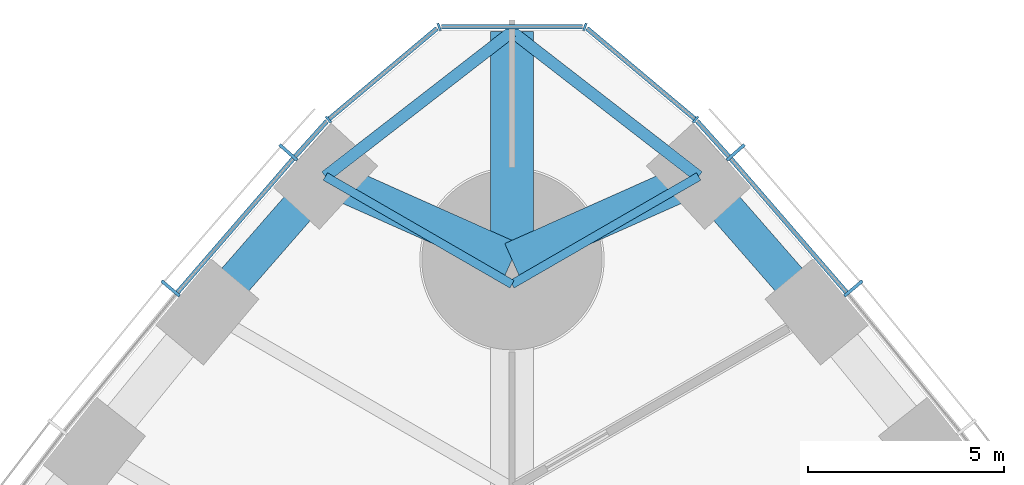
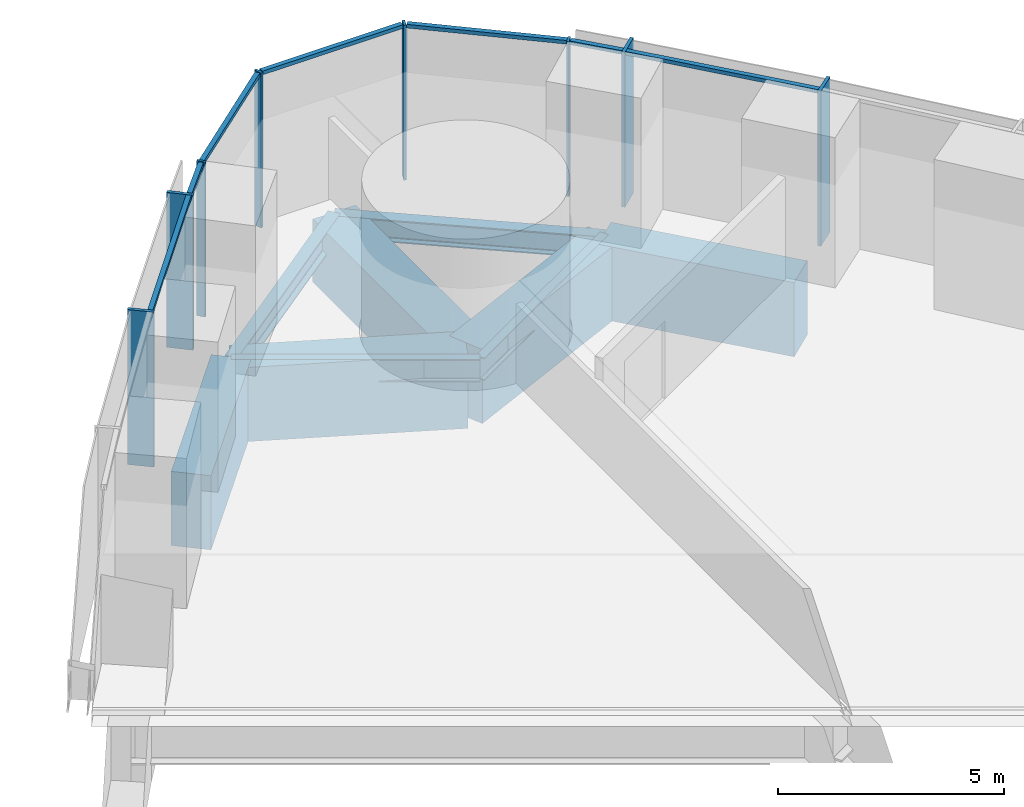
# One storey, part 7 of 19: 15 members, 9 beams, 3 elements without a shape of their own.
"""IFC4 building model written with IfcOpenShell, lengths in metres."""

from ifc_helpers import new_model, si_unit, direction, frame, origin, origin_2d, place, context, subcontext, project, spatial, rectangle, i_section, extrude, material, material_profile, profile_set, type_object, element, aggregate, save


model = new_model("IFC4")

# Units and contexts
model_context = context("Model", 3, precision=1e-05, world=origin(), true_north=direction((0.0, 1.0)))
body_context = subcontext(model_context, "Body", "Model", "MODEL_VIEW")
ifc_project = project(units=[si_unit("LENGTHUNIT", "METRE"), si_unit("AREAUNIT", "SQUARE_METRE"), si_unit("VOLUMEUNIT", "CUBIC_METRE"), si_unit("PLANEANGLEUNIT", "RADIAN"), si_unit("MASSUNIT", "GRAM", prefix="KILO")], contexts=[model_context])

# Site, building, storey
site_placement = place(None, origin())
site = spatial("IfcSite", under=ifc_project, at=site_placement, CompositionType="ELEMENT")
building_placement = place(site_placement, origin())
building = spatial("IfcBuilding", under=site, at=building_placement, Name="Trefoil Bronze Tower", CompositionType="ELEMENT")
storey_placement = place(building_placement, frame((0.0, 0.0, 79.5)))
storey = spatial("IfcBuildingStorey", under=building, at=storey_placement, Name="L18", CompositionType="ELEMENT", Elevation=79.5)

# Curtain wall, members
ifc_material_1 = material(Name="Tinted solar-control glass", Category="glass")
curtain_wall_type_1 = type_object("IfcCurtainWallType", Name="Bronze office curtain wall", PredefinedType="USERDEFINED", material=ifc_material_1)
curtain_wall_1_placement = place(storey_placement, origin())
curtain_wall_1 = element("IfcCurtainWall", 1, at=curtain_wall_1_placement, inside=storey, type_object=curtain_wall_type_1, Name="CW-A L18 F2", ObjectType="CURTAIN WALL", PredefinedType="USERDEFINED")
ifc_material_2 = material(Name="Bronze-finish aluminium", Category="aluminium")
ifc_material_profile_1 = material_profile(ifc_material_2, rectangle(XDim=0.60009765625, YDim=0.080078125, at=origin_2d()), Name="CW-A mullion")
ifc_profile_set_1 = profile_set([ifc_material_profile_1], Name="Bronze-finish aluminium")
member_type_1 = type_object("IfcMemberType", Name="Bronze office curtain wall mullion", PredefinedType="MULLION", material=ifc_profile_set_1)
member_1_placement = place(storey_placement, frame((8.709716796875, 36.265869140625, 0.0), z_axis=(0.0, 0.0, 1.0), x_axis=(-0.765729101889, -0.643163231629, 0.0)))
member_1 = element("IfcMember", 2, at=member_1_placement, type_object=member_type_1, Name="CW-A L18 F2 mullion 15", PredefinedType="MULLION", context=body_context, shape_type="SweptSolid", body=[
    extrude(rectangle(XDim=0.60009765625, YDim=0.080078125, at=origin_2d()), origin(), (0.0, 0.0, 1.0), 4.179931640625),
])
member_2_placement = place(storey_placement, frame((5.70654296875, 39.736328125, 0.0), z_axis=(0.0, 0.0, 1.0), x_axis=(-0.7499405861, -0.661505190698, 0.0)))
member_2 = element("IfcMember", 3, at=member_2_placement, type_object=member_type_1, Name="CW-A L18 F2 mullion 16", PredefinedType="MULLION", context=body_context, shape_type="SweptSolid", body=[
    extrude(rectangle(XDim=0.60009765625, YDim=0.080078125, at=origin_2d()), origin(), (0.0, 0.0, 1.0), 4.179931640625),
])

curtain_wall_2_placement = place(storey_placement, origin())
curtain_wall_2 = element("IfcCurtainWall", 4, at=curtain_wall_2_placement, inside=storey, type_object=curtain_wall_type_1, Name="CW-A L18 F3", ObjectType="CURTAIN WALL", PredefinedType="USERDEFINED")
member_3_placement = place(storey_placement, frame((-5.70654296875, 39.736328125, 0.0), z_axis=(0.0, 0.0, 1.0), x_axis=(0.7499405861, -0.661505190698, 0.0)))
member_3 = element("IfcMember", 5, at=member_3_placement, type_object=member_type_1, Name="CW-A L18 F3 mullion 2", PredefinedType="MULLION", context=body_context, shape_type="SweptSolid", body=[
    extrude(rectangle(XDim=0.60009765625, YDim=0.080078125, at=origin_2d()), origin(), (0.0, 0.0, 1.0), 4.179931640625),
])
member_4_placement = place(storey_placement, frame((-8.709716796875, 36.265869140625, 0.0), z_axis=(0.0, 0.0, 1.0), x_axis=(0.765729101889, -0.643163231629, 0.0)))
member_4 = element("IfcMember", 6, at=member_4_placement, type_object=member_type_1, Name="CW-A L18 F3 mullion 3", PredefinedType="MULLION", context=body_context, shape_type="SweptSolid", body=[
    extrude(rectangle(XDim=0.60009765625, YDim=0.080078125, at=origin_2d()), origin(), (0.0, 0.0, 1.0), 4.179931640625),
])

# Member
ifc_material_3 = material(Name="Bronze-finish aluminium", Category="aluminium")
ifc_material_profile_2 = material_profile(ifc_material_3, rectangle(XDim=0.1201171875, YDim=0.10009765625, at=origin_2d()), Name="CW-A transom")
ifc_profile_set_2 = profile_set([ifc_material_profile_2], Name="Bronze-finish aluminium")
member_type_2 = type_object("IfcMemberType", Name="Bronze office curtain wall transom", PredefinedType="USERDEFINED", material=ifc_profile_set_2)
member_5_placement = place(storey_placement, frame((8.529541015625, 36.16845703125, 4.1298828125), z_axis=(-0.654383303203, 0.75616300656, 0.0), x_axis=(-0.75616300656, -0.654383303203, 0.0)))
member_5 = element("IfcMember", 7, at=member_5_placement, type_object=member_type_2, Name="CW-A L18 F2 transom 15", ObjectType="TRANSOM", PredefinedType="USERDEFINED", context=body_context, shape_type="SweptSolid", body=[
    extrude(rectangle(XDim=0.1201171875, YDim=0.10009765625, at=origin_2d()), origin(), (0.0, 0.0, 1.0), 4.50244140625),
])

member_6_placement = place(storey_placement, frame((5.529052734375, 39.634521484375, 4.1298828125), z_axis=(-0.66858567461, 0.743635122695, 0.0), x_axis=(-0.743635122695, -0.66858567461, 0.0)))
member_6 = element("IfcMember", 8, at=member_6_placement, type_object=member_type_2, Name="CW-A L18 F2 transom 16", ObjectType="TRANSOM", PredefinedType="USERDEFINED", context=body_context, shape_type="SweptSolid", body=[
    extrude(rectangle(XDim=0.1201171875, YDim=0.10009765625, at=origin_2d()), origin(), (0.0, 0.0, 1.0), 1.210205078125),
])

aggregate(curtain_wall_1, [member_1, member_2, member_5, member_6])

member_7_placement = place(storey_placement, frame((-4.719970703125, 40.534423828125, 4.1298828125), z_axis=(-0.66858567461, -0.743635122695, 0.0), x_axis=(0.743635122695, -0.66858567461, 0.0)))
member_7 = element("IfcMember", 9, at=member_7_placement, type_object=member_type_2, Name="CW-A L18 F3 transom 1", ObjectType="TRANSOM", PredefinedType="USERDEFINED", context=body_context, shape_type="SweptSolid", body=[
    extrude(rectangle(XDim=0.1201171875, YDim=0.10009765625, at=origin_2d()), origin(), (0.0, 0.0, 1.0), 1.210205078125),
])

member_8_placement = place(storey_placement, frame((-5.583251953125, 39.572998046875, 4.1298828125), z_axis=(-0.654383303203, -0.75616300656, 0.0), x_axis=(0.75616300656, -0.654383303203, 0.0)))
member_8 = element("IfcMember", 10, at=member_8_placement, type_object=member_type_2, Name="CW-A L18 F3 transom 2", ObjectType="TRANSOM", PredefinedType="USERDEFINED", context=body_context, shape_type="SweptSolid", body=[
    extrude(rectangle(XDim=0.1201171875, YDim=0.10009765625, at=origin_2d()), origin(), (0.0, 0.0, 1.0), 4.50244140625),
])

aggregate(curtain_wall_2, [member_3, member_4, member_7, member_8])

# Curtain wall, members
ifc_material_4 = material(Name="Tinted solar-control glass", Category="glass")
curtain_wall_type_2 = type_object("IfcCurtainWallType", Name="Bronze rounded corner curtain wall", PredefinedType="USERDEFINED", material=ifc_material_4)
curtain_wall_3_placement = place(storey_placement, origin())
curtain_wall_3 = element("IfcCurtainWall", 11, at=curtain_wall_3_placement, inside=storey, type_object=curtain_wall_type_2, Name="CW-B L18 K2", ObjectType="CURTAIN WALL", PredefinedType="USERDEFINED")
ifc_material_5 = material(Name="Bronze-finish aluminium", Category="aluminium")
ifc_material_profile_3 = material_profile(ifc_material_5, rectangle(XDim=0.199951171875, YDim=0.06005859375, at=origin_2d()), Name="CW-B mullion")
ifc_profile_set_3 = profile_set([ifc_material_profile_3], Name="Bronze-finish aluminium")
member_type_3 = type_object("IfcMemberType", Name="Bronze rounded corner curtain wall mullion", PredefinedType="MULLION", material=ifc_profile_set_3)
member_9_placement = place(storey_placement, frame((4.68310546875, 40.573974609375, 0.0), z_axis=(0.0, 0.0, 1.0), x_axis=(-0.642787609687, -0.766044443119, 0.0)))
member_9 = element("IfcMember", 12, at=member_9_placement, type_object=member_type_3, Name="CW-B L18 K2 mullion 1", PredefinedType="MULLION", context=body_context, shape_type="SweptSolid", body=[
    extrude(rectangle(XDim=0.199951171875, YDim=0.06005859375, at=origin_2d()), origin(), (0.0, 0.0, 1.0), 4.179931640625),
])
member_10_placement = place(storey_placement, frame((1.8583984375, 42.9365234375, 0.0), z_axis=(0.0, 0.0, 1.0), x_axis=(-0.342020143326, -0.939692620786, 0.0)))
member_10 = element("IfcMember", 13, at=member_10_placement, type_object=member_type_3, Name="CW-B L18 K2 mullion 2", PredefinedType="MULLION", context=body_context, shape_type="SweptSolid", body=[
    extrude(rectangle(XDim=0.199951171875, YDim=0.06005859375, at=origin_2d()), origin(), (0.0, 0.0, 1.0), 4.179931640625),
])
member_11_placement = place(storey_placement, frame((-1.8583984375, 42.9365234375, 0.0), z_axis=(0.0, 0.0, 1.0), x_axis=(0.342020143326, -0.939692620786, 0.0)))
member_11 = element("IfcMember", 14, at=member_11_placement, type_object=member_type_3, Name="CW-B L18 K2 mullion 3", PredefinedType="MULLION", context=body_context, shape_type="SweptSolid", body=[
    extrude(rectangle(XDim=0.199951171875, YDim=0.06005859375, at=origin_2d()), origin(), (0.0, 0.0, 1.0), 4.179931640625),
])
member_12_placement = place(storey_placement, frame((-4.68310546875, 40.573974609375, 0.0), z_axis=(0.0, 0.0, 1.0), x_axis=(0.642787609687, -0.766044443119, 0.0)))
member_12 = element("IfcMember", 15, at=member_12_placement, type_object=member_type_3, Name="CW-B L18 K2 mullion 4", PredefinedType="MULLION", context=body_context, shape_type="SweptSolid", body=[
    extrude(rectangle(XDim=0.199951171875, YDim=0.06005859375, at=origin_2d()), origin(), (0.0, 0.0, 1.0), 4.179931640625),
])
ifc_material_6 = material(Name="Bronze-finish aluminium", Category="aluminium")
ifc_material_profile_4 = material_profile(ifc_material_6, rectangle(XDim=0.1201171875, YDim=0.10009765625, at=origin_2d()), Name="CW-B transom")
ifc_profile_set_4 = profile_set([ifc_material_profile_4], Name="Bronze-finish aluminium")
member_type_4 = type_object("IfcMemberType", Name="Bronze rounded corner curtain wall transom", PredefinedType="USERDEFINED", material=ifc_profile_set_4)
member_13_placement = place(storey_placement, frame((4.66015625, 40.59326171875, 4.1298828125), z_axis=(-0.766058606238, 0.642770730361, 0.0), x_axis=(-0.642770730361, -0.766058606238, 0.0)))
member_13 = element("IfcMember", 16, at=member_13_placement, type_object=member_type_4, Name="CW-B L18 K2 transom 1", ObjectType="TRANSOM", PredefinedType="USERDEFINED", context=body_context, shape_type="SweptSolid", body=[
    extrude(rectangle(XDim=0.1201171875, YDim=0.10009765625, at=origin_2d()), origin(), (0.0, 0.0, 1.0), 3.588134765625),
])
member_14_placement = place(storey_placement, frame((1.794189453125, 42.9423828125, 4.1298828125), z_axis=(-1.0, 0.0, 0.0), x_axis=(0.0, -1.0, 0.0)))
member_14 = element("IfcMember", 17, at=member_14_placement, type_object=member_type_4, Name="CW-B L18 K2 transom 2", ObjectType="TRANSOM", PredefinedType="USERDEFINED", context=body_context, shape_type="SweptSolid", body=[
    extrude(rectangle(XDim=0.1201171875, YDim=0.10009765625, at=origin_2d()), origin(), (0.0, 0.0, 1.0), 3.58837890625),
])
member_15_placement = place(storey_placement, frame((-1.911376953125, 42.899658203125, 4.1298828125), z_axis=(-0.766058606238, -0.642770730361, 0.0), x_axis=(0.642770730361, -0.766058606238, 0.0)))
member_15 = element("IfcMember", 18, at=member_15_placement, type_object=member_type_4, Name="CW-B L18 K2 transom 3", ObjectType="TRANSOM", PredefinedType="USERDEFINED", context=body_context, shape_type="SweptSolid", body=[
    extrude(rectangle(XDim=0.1201171875, YDim=0.10009765625, at=origin_2d()), origin(), (0.0, 0.0, 1.0), 3.588134765625),
])
aggregate(curtain_wall_3, [member_9, member_10, member_11, member_12, member_13, member_14, member_15])

# Beams
ifc_material_7 = material(Name="Concrete B80", Category="concrete")
ifc_material_profile_5 = material_profile(ifc_material_7, rectangle(XDim=1.10009765625, YDim=1.699951171875, at=origin_2d()), Name="RC 1100x1700")
ifc_profile_set_5 = profile_set([ifc_material_profile_5], Name="Concrete B80")
beam_type_1 = type_object("IfcBeamType", Name="Corner cantilever RC 1100x1700", PredefinedType="BEAM", material=ifc_profile_set_5)
beam_placement = place(storey_placement, frame((0.0, 37.0, -1.050048828125), z_axis=(0.0, 1.0, 0.0), x_axis=(-1.0, 0.0, 0.0)))
element("IfcBeam", 19, at=beam_placement, inside=storey, type_object=beam_type_1, Name="Corner cantilever K2 L18", PredefinedType="BEAM", context=body_context, shape_type="SweptSolid", body=[
    extrude(rectangle(XDim=1.10009765625, YDim=1.699951171875, at=origin_2d()), origin(), (0.0, 0.0, 1.0), 5.814208984375),
])
ifc_material_8 = material(Name="Steel C355", Category="steel")
ifc_material_profile_6 = material_profile(ifc_material_8, i_section(OverallWidth=0.300048828125, OverallDepth=0.60009765625, WebThickness=0.015380859375, FlangeThickness=0.030029296875, FilletRadius=0.027099609375, at=origin_2d()), Name="HEB 600")
ifc_profile_set_6 = profile_set([ifc_material_profile_6], Name="Steel C355")
beam_type_2 = type_object("IfcBeamType", Name="Corner edge beam HEB 600", PredefinedType="BEAM", material=ifc_profile_set_6)
for number, where, z_axis, x_axis, name in (
    (20, (4.76171875, 39.122314453125, -0.5), (-0.790289474622, 0.612733666696, 0.0), (-0.612733666696, -0.790289474622, 0.0), "Corner edge beam F2A L18"),
    (21, (-4.76171875, 39.122314453125, -0.5), (0.790289474622, 0.612733666696, 0.0), (-0.612733666696, 0.790289474622, 0.0), "Corner edge beam F3B L18"),
):
    element("IfcBeam", number, at=place(storey_placement, frame(where, z_axis=z_axis, x_axis=x_axis)), inside=storey, type_object=beam_type_2, Name=name, PredefinedType="BEAM", context=body_context, shape_type="SweptSolid", body=[
        extrude(i_section(OverallWidth=0.300048828125, OverallDepth=0.60009765625, WebThickness=0.015380859375, FlangeThickness=0.030029296875, FilletRadius=0.027099609375, at=origin_2d()), origin(), (0.0, 0.0, 1.0), 6.025390625),
    ])
ifc_material_9 = material(Name="Concrete B80", Category="concrete")
ifc_material_profile_7 = material_profile(ifc_material_9, rectangle(XDim=0.89990234375, YDim=2.0, at=origin_2d()), Name="RC 900x2000")
ifc_profile_set_7 = profile_set([ifc_material_profile_7], Name="Concrete B80")
beam_type_3 = type_object("IfcBeamType", Name="End spandrel beam RC 900x2000", PredefinedType="SPANDREL", material=ifc_profile_set_7)
for number, where, z_axis, x_axis, name in (
    (22, (4.76171875, 39.122314453125, -1.199951171875), (-0.913384257879, -0.407098510754, 0.0), (0.407098510754, -0.913384257879, 0.0), "Spandrel F2.16 L18"),
    (23, (0.0, 37.0, -1.199951171875), (-0.913384257879, 0.407098510754, 0.0), (-0.407098510754, -0.913384257879, 0.0), "Spandrel F3.1 L18"),
):
    element("IfcBeam", number, at=place(storey_placement, frame(where, z_axis=z_axis, x_axis=x_axis)), inside=storey, type_object=beam_type_3, Name=name, PredefinedType="SPANDREL", context=body_context, shape_type="SweptSolid", body=[
        extrude(rectangle(XDim=0.89990234375, YDim=2.0, at=origin_2d()), origin(), (0.0, 0.0, 1.0), 5.21337890625),
    ])
ifc_material_10 = material(Name="Steel C355", Category="steel")
ifc_material_profile_8 = material_profile(ifc_material_10, i_section(OverallWidth=0.219970703125, OverallDepth=0.60009765625, WebThickness=0.011962890625, FlangeThickness=0.01904296875, FilletRadius=0.02392578125, at=origin_2d()), Name="IPE 600")
ifc_profile_set_8 = profile_set([ifc_material_profile_8], Name="Steel C355")
beam_type_4 = type_object("IfcBeamType", Name="Floor beam IPE 600", PredefinedType="BEAM", material=ifc_profile_set_8)
for number, where, z_axis, x_axis, name in (
    (24, (4.76171875, 39.122314453125, -0.5), (-0.866018475376, -0.500012000164, 0.0), (0.500012000164, -0.866018475376, 0.0), "Floor beam F2/+7 L18"),
    (25, (-4.76171875, 39.122314453125, -0.5), (0.866018475376, -0.500012000164, 0.0), (0.500012000164, 0.866018475376, 0.0), "Floor beam F3/-7 L18"),
):
    element("IfcBeam", number, at=place(storey_placement, frame(where, z_axis=z_axis, x_axis=x_axis)), inside=storey, type_object=beam_type_4, Name=name, PredefinedType="BEAM", context=body_context, shape_type="SweptSolid", body=[
        extrude(i_section(OverallWidth=0.219970703125, OverallDepth=0.60009765625, WebThickness=0.011962890625, FlangeThickness=0.01904296875, FilletRadius=0.02392578125, at=origin_2d()), origin(), (0.0, 0.0, 1.0), 5.498291015625),
    ])
ifc_material_11 = material(Name="Concrete B80", Category="concrete")
ifc_material_profile_9 = material_profile(ifc_material_11, rectangle(XDim=0.89990234375, YDim=2.0, at=origin_2d()), Name="RC 900x2000")
ifc_profile_set_9 = profile_set([ifc_material_profile_9], Name="Concrete B80")
beam_type_5 = type_object("IfcBeamType", Name="Spandrel beam RC 900x2000", PredefinedType="SPANDREL", material=ifc_profile_set_9)
for number, where, z_axis, x_axis, name in (
    (26, (7.7763671875, 35.666748046875, -1.199951171875), (-0.657395767989, 0.753545489158, 0.0), (-0.753545489158, -0.657395767989, 0.0), "Spandrel F2.15 L18"),
    (27, (-4.76171875, 39.122314453125, -1.199951171875), (-0.657395767989, -0.753545489158, 0.0), (0.753545489158, -0.657395767989, 0.0), "Spandrel F3.2 L18"),
):
    element("IfcBeam", number, at=place(storey_placement, frame(where, z_axis=z_axis, x_axis=x_axis)), inside=storey, type_object=beam_type_5, Name=name, PredefinedType="SPANDREL", context=body_context, shape_type="SweptSolid", body=[
        extrude(rectangle(XDim=0.89990234375, YDim=2.0, at=origin_2d()), origin(), (0.0, 0.0, 1.0), 4.585693359375),
    ])

save(model, "model.ifc")
